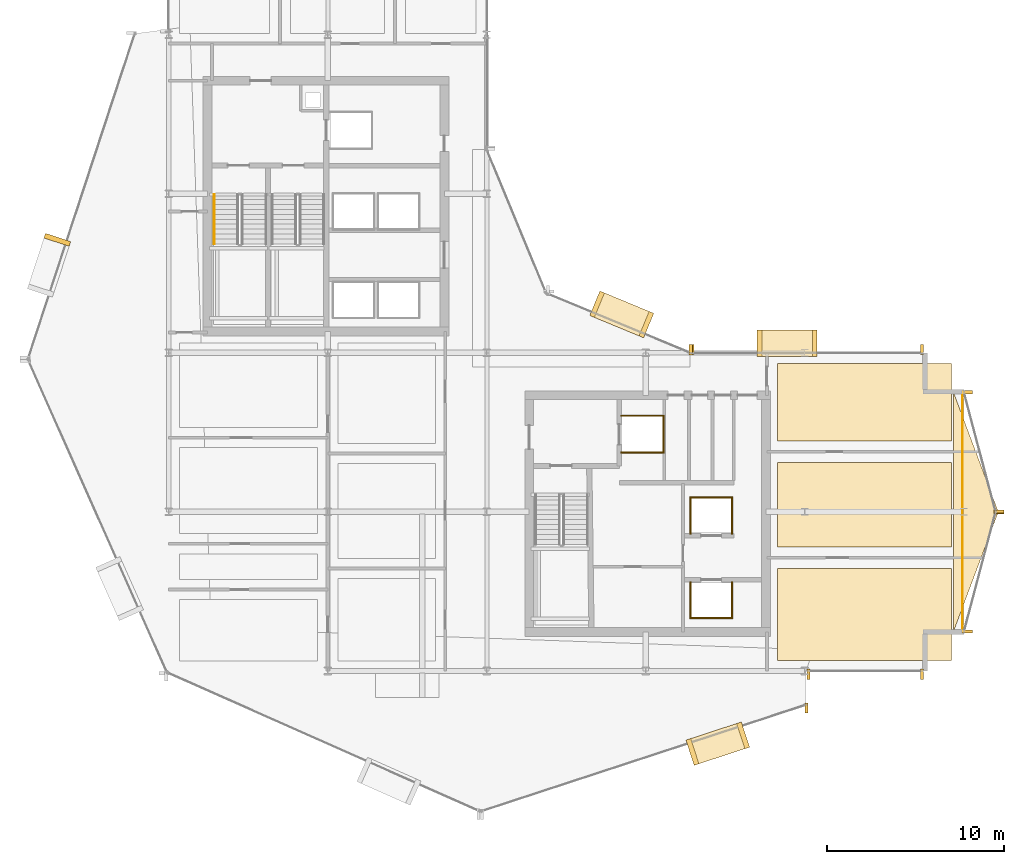
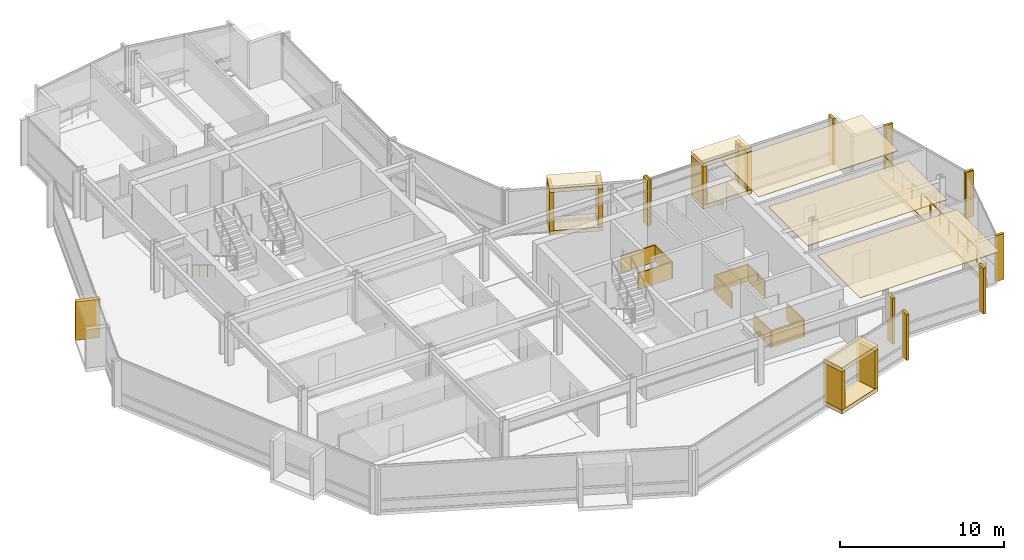
# One storey, part 28 of 29: 36 coverings, 2 railings.
"""IFC4 building model written with IfcOpenShell, lengths in metres."""

import ifcopenshell
import ifcopenshell.guid

model = None  # the IFC model being written
_history = None  # IfcOwnerHistory: only IFC2X3 demands one
_inside = {}  # id of a spatial element -> (the spatial element, [elements in it])
_under = {}  # id of a project, library or spatial element -> (it, [spatial elements below it])
_declared = {}  # id of a project -> (the project, [libraries it declares])
_typed = {}  # id of a type object -> (the type object, [elements of that type])
_made_of = {}  # id of a material, layer set ... -> (it, [elements and type objects made of it])


def new_model(schema):
    """Start an empty IFC model of exactly this schema.

    Asked for "IFC4X3", IfcOpenShell would pick the latest addendum, in which some entities
    have other attributes; the version numbers below select the first issue.
    IFC2X3 requires an IfcOwnerHistory on every rooted entity: one is made here for all.
    """
    global model, _history
    if schema == "IFC4X3":
        model = ifcopenshell.file(schema_version=(4, 3, 0, 0))
    else:
        model = ifcopenshell.file(schema=schema)
    _inside.clear()
    _under.clear()
    _declared.clear()
    _typed.clear()
    _made_of.clear()
    _history = None
    if model.schema == "IFC2X3":
        org = make("IfcOrganization", Name="unknown")
        user = make(
            "IfcPersonAndOrganization",
            ThePerson=make("IfcPerson", FamilyName="unknown"),
            TheOrganization=org,
        )
        app = make(
            "IfcApplication",
            ApplicationDeveloper=org,
            Version="unknown",
            ApplicationFullName="unknown",
            ApplicationIdentifier="unknown",
        )
        _history = make(
            "IfcOwnerHistory",
            OwningUser=user,
            OwningApplication=app,
            ChangeAction="ADDED",
            CreationDate=0,
        )
    return model


def make(cls, **values):
    """One entity of the class cls with the attributes given. An attribute that is None is left unset."""
    return model.create_entity(
        cls, **{name: value for name, value in values.items() if value is not None}
    )


def rooted(cls, **values):
    """An entity with a GlobalId (a new one), such as an element, a storey or a relation."""
    return make(cls, GlobalId=ifcopenshell.guid.new(), OwnerHistory=_history, **values)


def si_unit(unit_type, name, prefix=None):
    """IfcSIUnit, for example si_unit("LENGTHUNIT", "METRE", prefix="MILLI")."""
    return make("IfcSIUnit", UnitType=unit_type, Prefix=prefix, Name=name)


def assignment(units):
    """IfcUnitAssignment: the units of a project."""
    return None if units is None else make("IfcUnitAssignment", Units=units)


def point(xyz):
    """IfcCartesianPoint."""
    return None if xyz is None else make("IfcCartesianPoint", Coordinates=xyz)


def direction(xyz):
    """IfcDirection."""
    return None if xyz is None else make("IfcDirection", DirectionRatios=xyz)


def frame(location, z_axis=None, x_axis=None):
    """IfcAxis2Placement3D, a coordinate frame: its origin and axes. An axis left out is left unset."""
    return make(
        "IfcAxis2Placement3D",
        Location=point(location),
        Axis=direction(z_axis),
        RefDirection=direction(x_axis),
    )


def frame_2d(location, x_axis=None):
    """IfcAxis2Placement2D, a coordinate frame in the plane: its origin and x axis."""
    return make(
        "IfcAxis2Placement2D", Location=point(location), RefDirection=direction(x_axis)
    )


def origin():
    """The frame at (0, 0, 0) with its axes left unset."""
    return frame((0.0, 0.0, 0.0))


def origin_2d():
    """The frame at (0, 0) in the plane with its x axis left unset."""
    return frame_2d((0.0, 0.0))


def place(relative_to, where):
    """IfcLocalPlacement: puts the frame where relative to a parent placement (None: the world)."""
    return make(
        "IfcLocalPlacement", PlacementRelTo=relative_to, RelativePlacement=where
    )


def context(
    kind, dimensions, precision=None, world=None, true_north=None, identifier=None
):
    """IfcGeometricRepresentationContext, for example the 3D "Model" context."""
    return make(
        "IfcGeometricRepresentationContext",
        ContextIdentifier=identifier,
        ContextType=kind,
        CoordinateSpaceDimension=dimensions,
        Precision=precision,
        WorldCoordinateSystem=world,
        TrueNorth=true_north,
    )


def subcontext(parent, identifier, kind, view, scale=None):
    """IfcGeometricRepresentationSubContext, for example "Body" below "Model"."""
    return make(
        "IfcGeometricRepresentationSubContext",
        ContextIdentifier=identifier,
        ContextType=kind,
        ParentContext=parent,
        TargetScale=scale,
        TargetView=view,
    )


def project(units=None, contexts=None):
    """IfcProject with its units and contexts."""
    return rooted(
        "IfcProject",
        Name="project",
        RepresentationContexts=contexts,
        UnitsInContext=assignment(units),
    )


def spatial(cls, under=None, at=None, **own):
    """A site, building, storey or space (cls), placed at a placement, below another one or the project."""
    s = rooted(cls, ObjectPlacement=at, **own)
    if under is not None:
        _under.setdefault(under.id(), (under, []))[1].append(s)
    return s


def polyline(points):
    """IfcPolyline through the points."""
    return make("IfcPolyline", Points=[point(p) for p in points])


def profile(cls, at=None, kind="AREA", **sizes):
    """A parametric profile (cls). Its sizes go by their IFC names, for example OverallWidth=200.0."""
    return make(cls, ProfileType=kind, Position=at, **sizes)


def rectangle(**sizes):
    """IfcRectangleProfileDef."""
    return profile("IfcRectangleProfileDef", **sizes)


def circle(**sizes):
    """IfcCircleProfileDef."""
    return profile("IfcCircleProfileDef", **sizes)


def outline(outer, holes=None, kind="AREA"):
    """IfcArbitraryClosedProfileDef: a profile drawn as a closed curve; with holes, ...WithVoids."""
    if holes is None:
        return make("IfcArbitraryClosedProfileDef", ProfileType=kind, OuterCurve=outer)
    return make(
        "IfcArbitraryProfileDefWithVoids",
        ProfileType=kind,
        OuterCurve=outer,
        InnerCurves=holes,
    )


def extrude(swept, where, along, depth):
    """IfcExtrudedAreaSolid: the profile swept, set in the frame where, extruded along a direction by depth."""
    return make(
        "IfcExtrudedAreaSolid",
        SweptArea=swept,
        Position=where,
        ExtrudedDirection=direction(along),
        Depth=depth,
    )


def shape(context_of_items, identifier, shape_type, items):
    """IfcShapeRepresentation: the items that make up one representation, for example the "Body"."""
    return make(
        "IfcShapeRepresentation",
        ContextOfItems=context_of_items,
        RepresentationIdentifier=identifier,
        RepresentationType=shape_type,
        Items=items,
    )


def material(Name=None, Category=None):
    """IfcMaterial."""
    return make("IfcMaterial", Name=Name, Category=Category)


def layer(
    of_material, thickness, ventilated=None, Name=None, Category=None, Priority=None
):
    """IfcMaterialLayer: one layer of a wall or slab, of a material (None: an air gap)."""
    return make(
        "IfcMaterialLayer",
        Material=of_material,
        LayerThickness=thickness,
        IsVentilated=ventilated,
        Name=Name,
        Category=Category,
        Priority=Priority,
    )


def layer_set(layers, Name=None):
    """IfcMaterialLayerSet."""
    return make("IfcMaterialLayerSet", MaterialLayers=layers, LayerSetName=Name)


def made_of(thing, what):
    """Note that an element or type object is made of a material, layer set ...; save() writes the relation."""
    if what is not None:
        _made_of.setdefault(what.id(), (what, []))[1].append(thing)
    return thing


def type_object(cls, material=None, **own):
    """A type object (cls), such as IfcWallType, which elements share."""
    return made_of(rooted(cls, **own), material)


def element(
    cls,
    number,
    at=None,
    inside=None,
    cuts=None,
    type_object=None,
    material=None,
    context=None,
    identifier="Body",
    shape_type=None,
    held_by="IfcProductDefinitionShape",
    body=None,
    shapes=None,
    **own,
):
    """One element of the class cls, such as IfcWall. Its Tag is "e" and its number.

    at: its placement. inside: the storey or other place that contains it. cuts: it is an
    opening in that element (IfcRelVoidsElement). A single representation is given by context,
    identifier, shape_type and body (its items); several are given by shapes. held_by: the class
    of the entity that holds the representations. save() writes the other relations.
    """
    e = rooted(cls, Tag="e%d" % number, ObjectPlacement=at, **own)
    if body is not None:
        shapes = [shape(context, identifier, shape_type, body)]
    if shapes is not None:
        e.Representation = make(held_by, Representations=shapes)
    if inside is not None:
        _inside.setdefault(inside.id(), (inside, []))[1].append(e)
    if cuts is not None:
        rooted(
            "IfcRelVoidsElement", RelatingBuildingElement=cuts, RelatedOpeningElement=e
        )
    if type_object is not None:
        _typed.setdefault(type_object.id(), (type_object, []))[1].append(e)
    return made_of(e, material)


def aggregate(whole, parts):
    """IfcRelAggregates: a whole, such as a stair, and the parts it consists of."""
    return rooted("IfcRelAggregates", RelatingObject=whole, RelatedObjects=parts)


def save(model, path):
    """Write the relations noted so far, then the file.

    IfcRelAggregates (storeys below a building ...), IfcRelContainedInSpatialStructure (elements
    in a storey), IfcRelDefinesByType, IfcRelAssociatesMaterial and IfcRelDeclares: one each for
    every whole, place, type object, material and project.
    """
    for whole, parts in _under.values():
        aggregate(whole, parts)
    for where, things in _inside.values():
        rooted(
            "IfcRelContainedInSpatialStructure",
            RelatedElements=things,
            RelatingStructure=where,
        )
    for kind, things in _typed.values():
        rooted("IfcRelDefinesByType", RelatedObjects=things, RelatingType=kind)
    for what, things in _made_of.values():
        rooted("IfcRelAssociatesMaterial", RelatedObjects=things, RelatingMaterial=what)
    for by, libraries in _declared.values():
        rooted("IfcRelDeclares", RelatingContext=by, RelatedDefinitions=libraries)
    model.write(path)


model = new_model("IFC4")

# Units and contexts
model_context = context("Model", 3, precision=1e-05, world=origin(), true_north=direction((0.0, 1.0)))
body_context = subcontext(model_context, "Body", "Model", "MODEL_VIEW")
ifc_project = project(units=[si_unit("LENGTHUNIT", "METRE"), si_unit("AREAUNIT", "SQUARE_METRE"), si_unit("VOLUMEUNIT", "CUBIC_METRE"), si_unit("PLANEANGLEUNIT", "RADIAN"), si_unit("MASSUNIT", "GRAM", prefix="KILO")], contexts=[model_context])

# Site, building, storey
site_placement = place(None, origin())
site = spatial("IfcSite", under=ifc_project, at=site_placement, CompositionType="ELEMENT")
building_placement = place(site_placement, origin())
building = spatial("IfcBuilding", under=site, at=building_placement, Name="Solvaryn Broadcast Tower", CompositionType="ELEMENT")
storey_placement = place(building_placement, frame((0.0, 0.0, 161.800048828125)))
storey = spatial("IfcBuildingStorey", under=building, at=storey_placement, Name="L40", CompositionType="ELEMENT", Elevation=161.800048828125)

# Coverings
ifc_material_1 = material(Name="Micro-Perforated Acoustic Gypsum Ceiling", Category="concrete")
ifc_layer_1 = layer(ifc_material_1, 0.0400390625)
ifc_layer_set_1 = layer_set([ifc_layer_1], Name="CV-CEIL-ACOUSTIC")
covering_type_1 = type_object("IfcCoveringType", Name="CV-CEIL-ACOUSTIC", PredefinedType="CEILING", material=ifc_layer_set_1)
covering_1_placement = place(storey_placement, frame((0.0, 0.0, 3.3798828125)))
element("IfcCovering", 1, at=covering_1_placement, inside=storey, type_object=covering_type_1, Name="L40 Room Acoustic Ceiling 11", PredefinedType="CEILING", context=body_context, shape_type="SweptSolid", body=[
    extrude(outline(polyline([(43.449951171875, 9.60009765625), (53.300048828125, 9.60009765625), (53.300048828125, 14.800048828125), (43.449951171875, 14.800048828125), (43.449951171875, 9.60009765625)])), origin(), (0.0, 0.0, 1.0), 0.0400390625),
])
covering_2_placement = place(storey_placement, frame((0.0, 0.0, 3.3798828125)))
element("IfcCovering", 2, at=covering_2_placement, inside=storey, type_object=covering_type_1, Name="L40 Room Acoustic Ceiling 12", PredefinedType="CEILING", context=body_context, shape_type="SweptSolid", body=[
    extrude(outline(polyline([(43.449951171875, 16.0), (53.300048828125, 16.0), (53.300048828125, 20.800048828125), (43.449951171875, 20.800048828125), (43.449951171875, 16.0)])), origin(), (0.0, 0.0, 1.0), 0.0400390625),
])
covering_3_placement = place(storey_placement, frame((0.0, 0.0, 3.3798828125)))
element("IfcCovering", 3, at=covering_3_placement, inside=storey, type_object=covering_type_1, Name="L40 Room Acoustic Ceiling 13", PredefinedType="CEILING", context=body_context, shape_type="SweptSolid", body=[
    extrude(outline(polyline([(43.449951171875, 22.0), (53.300048828125, 22.0), (53.300048828125, 26.39990234375), (43.449951171875, 26.39990234375), (43.449951171875, 22.0)])), origin(), (0.0, 0.0, 1.0), 0.0400390625),
])
ifc_material_2 = material(Name="Fire-Rated Gypsum Shaftwall Liner", Category="concrete")
ifc_layer_2 = layer(ifc_material_2, 0.080078125)
ifc_layer_set_2 = layer_set([ifc_layer_2], Name="CV-SHAFT-LINER")
covering_type_2 = type_object("IfcCoveringType", Name="CV-SHAFT-LINER", PredefinedType="CLADDING", material=ifc_layer_set_2)
for number, where, z_axis, x_axis, name in (
    (4, (35.800048828125, 23.43994140625, 0.0), (0.0, 0.0, 1.0), (1.0, 0.0, 0.0), "L40 FL2 Hoistway Shaft Liner North"),
    (5, (35.800048828125, 21.360107421875, 0.0), (0.0, 0.0, 1.0), (1.0, 0.0, 0.0), "L40 FL2 Hoistway Shaft Liner South"),
):
    element("IfcCovering", number, at=place(storey_placement, frame(where, z_axis=z_axis, x_axis=x_axis)), inside=storey, type_object=covering_type_2, Name=name, PredefinedType="CLADDING", context=body_context, shape_type="SweptSolid", body=[
        extrude(rectangle(XDim=2.4599609375, YDim=0.080078125, at=origin_2d()), origin(), (0.0, 0.0, 1.0), 1.25),
    ])
covering_4_placement = place(storey_placement, frame((36.989990234375, 22.39990234375, 0.0), z_axis=(0.0, 0.0, 1.0), x_axis=(1.0, 0.0, 0.0)))
element("IfcCovering", 6, at=covering_4_placement, inside=storey, type_object=covering_type_2, Name="L40 FL2 Hoistway Shaft Liner East", PredefinedType="CLADDING", context=body_context, shape_type="SweptSolid", body=[
    extrude(rectangle(XDim=0.080078125, YDim=2.159912109375, at=origin_2d()), origin(), (0.0, 0.0, 1.0), 1.25),
])
covering_5_placement = place(storey_placement, frame((39.699951171875, 11.985107421875, 0.0), z_axis=(0.0, 0.0, 1.0), x_axis=(1.0, 0.0, 0.0)))
element("IfcCovering", 7, at=covering_5_placement, inside=storey, type_object=covering_type_2, Name="L40 PM1 Hoistway Shaft Liner South", PredefinedType="CLADDING", context=body_context, shape_type="SweptSolid", body=[
    extrude(rectangle(XDim=2.409912109375, YDim=0.080078125, at=origin_2d()), origin(), (0.0, 0.0, 1.0), 1.25),
])
for number, where, z_axis, x_axis, name in (
    (8, (40.864990234375, 13.0, 0.0), (0.0, 0.0, 1.0), (1.0, 0.0, 0.0), "L40 PM1 Hoistway Shaft Liner East"),
    (9, (38.534912109375, 13.0, 0.0), (0.0, 0.0, 1.0), (1.0, 0.0, 0.0), "L40 PM1 Hoistway Shaft Liner West"),
):
    element("IfcCovering", number, at=place(storey_placement, frame(where, z_axis=z_axis, x_axis=x_axis)), inside=storey, type_object=covering_type_2, Name=name, PredefinedType="CLADDING", context=body_context, shape_type="SweptSolid", body=[
        extrude(rectangle(XDim=0.080078125, YDim=2.110107421875, at=origin_2d()), origin(), (0.0, 0.0, 1.0), 1.25),
    ])
covering_6_placement = place(storey_placement, frame((39.699951171875, 18.81494140625, 0.0), z_axis=(0.0, 0.0, 1.0), x_axis=(1.0, 0.0, 0.0)))
element("IfcCovering", 10, at=covering_6_placement, inside=storey, type_object=covering_type_2, Name="L40 PM2 Hoistway Shaft Liner North", PredefinedType="CLADDING", context=body_context, shape_type="SweptSolid", body=[
    extrude(rectangle(XDim=2.409912109375, YDim=0.080078125, at=origin_2d()), origin(), (0.0, 0.0, 1.0), 1.25),
])
for number, where, z_axis, x_axis, name in (
    (11, (40.864990234375, 17.800048828125, 0.0), (0.0, 0.0, 1.0), (1.0, 0.0, 0.0), "L40 PM2 Hoistway Shaft Liner East"),
    (12, (38.534912109375, 17.800048828125, 0.0), (0.0, 0.0, 1.0), (1.0, 0.0, 0.0), "L40 PM2 Hoistway Shaft Liner West"),
):
    element("IfcCovering", number, at=place(storey_placement, frame(where, z_axis=z_axis, x_axis=x_axis)), inside=storey, type_object=covering_type_2, Name=name, PredefinedType="CLADDING", context=body_context, shape_type="SweptSolid", body=[
        extrude(rectangle(XDim=0.080078125, YDim=2.110107421875, at=origin_2d()), origin(), (0.0, 0.0, 1.0), 1.25),
    ])
ifc_material_3 = material(Name="Glazed Architectural Terracotta Rainscreen Cladding", Category="masonry")
ifc_layer_3 = layer(ifc_material_3, 0.280029296875)
ifc_layer_set_3 = layer_set([ifc_layer_3], Name="CV-TC-CLAD")
covering_type_3 = type_object("IfcCoveringType", Name="CV-TC-CLAD", PredefinedType="CLADDING", material=ifc_layer_set_3)
covering_7_placement = place(storey_placement, frame((2.693603515625, 33.396728515625, 0.27978515625), z_axis=(0.0, 0.0, 1.0), x_axis=(-0.311671636848, -0.950189870912, 0.0)))
element("IfcCovering", 13, at=covering_7_placement, inside=storey, type_object=covering_type_3, Name="L40 Projecting Stone Window Box Cheek 1-1", PredefinedType="CLADDING", context=body_context, shape_type="SweptSolid", body=[
    extrude(rectangle(XDim=0.280029296875, YDim=1.5, at=origin_2d()), origin(), (0.0, 0.0, 1.0), 2.860107421875),
])
for number, where, z_axis, x_axis, name in (
    (14, (40.071044921875, 4.883056640625, 3.1298828125), (0.0, 0.0, 1.0), (0.950189870912, 0.311671636848, 0.0), "L40 Projecting Stone Window Box Hood 4"),
    (15, (40.071044921875, 4.883056640625, -0.01025390625), (0.0, 0.0, 1.0), (0.950189870912, 0.311671636848, 0.0), "L40 Projecting Stone Window Box Sill 4"),
):
    element("IfcCovering", number, at=place(storey_placement, frame(where, z_axis=z_axis, x_axis=x_axis)), inside=storey, type_object=covering_type_3, Name=name, PredefinedType="CLADDING", context=body_context, shape_type="SweptSolid", body=[
        extrude(rectangle(XDim=3.300048828125, YDim=1.5, at=origin_2d()), origin(), (0.0, 0.0, 1.0), 0.300048828125),
    ])
for number, where, z_axis, x_axis, name in (
    (16, (38.63623046875, 4.412353515625, 0.27978515625), (0.0, 0.0, 1.0), (0.950189870912, 0.311671636848, 0.0), "L40 Projecting Stone Window Box Cheek 4-1"),
    (17, (41.505859375, 5.353515625, 0.27978515625), (0.0, 0.0, 1.0), (0.950189870912, 0.311671636848, 0.0), "L40 Projecting Stone Window Box Cheek 4-2"),
):
    element("IfcCovering", number, at=place(storey_placement, frame(where, z_axis=z_axis, x_axis=x_axis)), inside=storey, type_object=covering_type_3, Name=name, PredefinedType="CLADDING", context=body_context, shape_type="SweptSolid", body=[
        extrude(rectangle(XDim=0.280029296875, YDim=1.5, at=origin_2d()), origin(), (0.0, 0.0, 1.0), 2.860107421875),
    ])
for number, where, z_axis, x_axis, name in (
    (18, (34.636962890625, 29.174072265625, 3.1298828125), (0.0, 0.0, 1.0), (-0.923879532511, 0.382683432365, 0.0), "L40 Projecting Stone Window Box Hood 5"),
    (19, (34.636962890625, 29.174072265625, -0.01025390625), (0.0, 0.0, 1.0), (-0.923879532511, 0.382683432365, 0.0), "L40 Projecting Stone Window Box Sill 5"),
):
    element("IfcCovering", number, at=place(storey_placement, frame(where, z_axis=z_axis, x_axis=x_axis)), inside=storey, type_object=covering_type_3, Name=name, PredefinedType="CLADDING", context=body_context, shape_type="SweptSolid", body=[
        extrude(rectangle(XDim=3.300048828125, YDim=1.5, at=origin_2d()), origin(), (0.0, 0.0, 1.0), 0.300048828125),
    ])
for number, where, z_axis, x_axis, name in (
    (20, (36.031982421875, 28.59619140625, 0.27978515625), (0.0, 0.0, 1.0), (-0.923879532511, 0.382683432365, 0.0), "L40 Projecting Stone Window Box Cheek 5-1"),
    (21, (33.241943359375, 29.751953125, 0.27978515625), (0.0, 0.0, 1.0), (-0.923879532511, 0.382683432365, 0.0), "L40 Projecting Stone Window Box Cheek 5-2"),
):
    element("IfcCovering", number, at=place(storey_placement, frame(where, z_axis=z_axis, x_axis=x_axis)), inside=storey, type_object=covering_type_3, Name=name, PredefinedType="CLADDING", context=body_context, shape_type="SweptSolid", body=[
        extrude(rectangle(XDim=0.280029296875, YDim=1.5, at=origin_2d()), origin(), (0.0, 0.0, 1.0), 2.860107421875),
    ])
for number, where, z_axis, x_axis, name in (
    (22, (44.0, 27.530029296875, 3.1298828125), (0.0, 0.0, 1.0), (1.0, 0.0, 0.0), "L40 Projecting Stone Window Box Hood 6"),
    (23, (44.0, 27.530029296875, -0.01025390625), (0.0, 0.0, 1.0), (1.0, 0.0, 0.0), "L40 Projecting Stone Window Box Sill 6"),
):
    element("IfcCovering", number, at=place(storey_placement, frame(where, z_axis=z_axis, x_axis=x_axis)), inside=storey, type_object=covering_type_3, Name=name, PredefinedType="CLADDING", context=body_context, shape_type="SweptSolid", body=[
        extrude(rectangle(XDim=3.39990234375, YDim=1.5, at=origin_2d()), origin(), (0.0, 0.0, 1.0), 0.300048828125),
    ])
for number, where, z_axis, x_axis, name in (
    (24, (42.43994140625, 27.530029296875, 0.27978515625), (0.0, 0.0, 1.0), (1.0, 0.0, 0.0), "L40 Projecting Stone Window Box Cheek 6-1"),
    (25, (45.56005859375, 27.530029296875, 0.27978515625), (0.0, 0.0, 1.0), (1.0, 0.0, 0.0), "L40 Projecting Stone Window Box Cheek 6-2"),
):
    element("IfcCovering", number, at=place(storey_placement, frame(where, z_axis=z_axis, x_axis=x_axis)), inside=storey, type_object=covering_type_3, Name=name, PredefinedType="CLADDING", context=body_context, shape_type="SweptSolid", body=[
        extrude(rectangle(XDim=0.280029296875, YDim=1.5, at=origin_2d()), origin(), (0.0, 0.0, 1.0), 2.860107421875),
    ])
ifc_material_4 = material(Name="Extruded Architectural Terracotta Fin", Category="masonry")
ifc_layer_4 = layer(ifc_material_4, 0.179931640625)
ifc_layer_set_4 = layer_set([ifc_layer_4], Name="CV-TC-FIN")
covering_type_4 = type_object("IfcCoveringType", Name="CV-TC-FIN", PredefinedType="USERDEFINED", material=ifc_layer_set_4)
for number, where, z_axis, x_axis, name in (
    (26, (45.0947265625, 6.898681640625, 0.0), (0.0, 0.0, 1.0), (1.0, 0.0, 0.0), "L40 Terracotta Vertical Fin FIN-L40-DR4-M01"),
    (27, (38.541259765625, 27.177978515625, 0.0), (0.0, 0.0, 1.0), (1.0, 0.0, 0.0), "L40 Terracotta Vertical Fin FIN-L40-CN1-M00"),
    (28, (45.197021484375, 8.8125, 0.0), (0.0, 0.0, 1.0), (1.0, 0.0, 0.0), "L40 Terracotta Vertical Fin FIN-L40-S2-M00"),
    (29, (51.6201171875, 8.8125, 0.0), (0.0, 0.0, 1.0), (1.0, 0.0, 0.0), "L40 Terracotta Vertical Fin FIN-L40-S2-M01"),
):
    element("IfcCovering", number, at=place(storey_placement, frame(where, z_axis=z_axis, x_axis=x_axis)), inside=storey, type_object=covering_type_4, Name=name, ObjectType="FIN", PredefinedType="USERDEFINED", context=body_context, shape_type="SweptSolid", body=[
        extrude(rectangle(XDim=0.179931640625, YDim=0.580078125, at=origin_2d()), origin(), (0.0, 0.0, 1.0), 3.419921875),
    ])
for number, where, z_axis, x_axis, name in (
    (30, (54.1953125, 24.77099609375, 0.0), (0.0, 0.0, 1.0), (1.0, 0.0, 0.0), "L40 Terracotta Vertical Fin FIN-L40-ET1-M00"),
    (31, (55.979736328125, 18.029052734375, 0.0), (0.0, 0.0, 1.0), (1.0, 0.0, 0.0), "L40 Terracotta Vertical Fin FIN-L40-ET1-M01"),
    (32, (55.979736328125, 17.970947265625, 0.0), (0.0, 0.0, 1.0), (1.0, 0.0, 0.0), "L40 Terracotta Vertical Fin FIN-L40-ET2-M00"),
    (33, (54.1953125, 11.22900390625, 0.0), (0.0, 0.0, 1.0), (1.0, 0.0, 0.0), "L40 Terracotta Vertical Fin FIN-L40-ET2-M01"),
):
    element("IfcCovering", number, at=place(storey_placement, frame(where, z_axis=z_axis, x_axis=x_axis)), inside=storey, type_object=covering_type_4, Name=name, ObjectType="FIN", PredefinedType="USERDEFINED", context=body_context, shape_type="SweptSolid", body=[
        extrude(rectangle(XDim=0.580078125, YDim=0.179931640625, at=origin_2d()), origin(), (0.0, 0.0, 1.0), 3.419921875),
    ])
for number, where, z_axis, x_axis, name in (
    (34, (38.6298828125, 27.1875, 0.0), (0.0, 0.0, 1.0), (1.0, 0.0, 0.0), "L40 Terracotta Vertical Fin FIN-L40-IH-M00"),
    (35, (51.6201171875, 27.1875, 0.0), (0.0, 0.0, 1.0), (1.0, 0.0, 0.0), "L40 Terracotta Vertical Fin FIN-L40-IH-M01"),
):
    element("IfcCovering", number, at=place(storey_placement, frame(where, z_axis=z_axis, x_axis=x_axis)), inside=storey, type_object=covering_type_4, Name=name, ObjectType="FIN", PredefinedType="USERDEFINED", context=body_context, shape_type="SweptSolid", body=[
        extrude(rectangle(XDim=0.179931640625, YDim=0.580078125, at=origin_2d()), origin(), (0.0, 0.0, 1.0), 3.419921875),
    ])
ifc_material_5 = material(Name="Sculpted Architectural Terracotta Wave Fascia", Category="masonry")
ifc_layer_5 = layer(ifc_material_5, 0.340087890625)
ifc_layer_set_5 = layer_set([ifc_layer_5], Name="CV-WAVE-TRAY")
covering_type_5 = type_object("IfcCoveringType", Name="CV-WAVE-TRAY", PredefinedType="CLADDING", material=ifc_layer_set_5)
covering_8_placement = place(storey_placement, frame((0.0, 0.0, -0.300048828125)))
element("IfcCovering", 36, at=covering_8_placement, inside=storey, type_object=covering_type_5, Name="L40 East Curved Wing Deck", PredefinedType="CLADDING", context=body_context, shape_type="SweptSolid", body=[
    extrude(outline(polyline([(53.39990234375, 11.199951171875), (55.949951171875, 18.0), (53.39990234375, 24.800048828125), (53.39990234375, 11.199951171875)])), origin(), (0.0, 0.0, 1.0), 0.330078125),
])

# Railings
ifc_material_6 = material(Name="Brushed Stainless Steel Tubular Handrail", Category="steel")
railing_type_1 = type_object("IfcRailingType", Name="RL-STAIR-HANDRAIL", PredefinedType="HANDRAIL", material=ifc_material_6)
railing_1_placement = place(storey_placement, frame((11.570068359375, 35.9599609375, 0.168212890625)))
element("IfcRailing", 37, at=railing_1_placement, inside=storey, type_object=railing_type_1, Name="L40 ST1 stair handrail 1", PredefinedType="HANDRAIL", context=body_context, shape_type="SweptSolid", body=[
    extrude(circle(Radius=0.02392578125, at=origin_2d()), frame((0.0, 0.0, 0.8759765625), z_axis=(0.0, -0.857275202839, 0.514858452973), x_axis=(1.0, 0.0, 0.0)), (0.0, 0.0, 1.0), 3.26611328125),
    extrude(circle(Radius=0.02099609375, at=origin_2d()), origin(), (0.0, 0.0, 1.0), 0.851806640625),
    extrude(circle(Radius=0.02099609375, at=origin_2d()), frame((0.0, -0.933349609375, 0.560546875)), (0.0, 0.0, 1.0), 0.851806640625),
    extrude(circle(Radius=0.02099609375, at=origin_2d()), frame((0.0, -1.86669921875, 1.12109375)), (0.0, 0.0, 1.0), 0.851806640625),
    extrude(circle(Radius=0.02099609375, at=origin_2d()), frame((0.0, -2.800048828125, 1.681640625)), (0.0, 0.0, 1.0), 0.851806640625),
])
ifc_material_7 = material(Name="Stainless Steel and Laminated Glass Guard", Category="steel")
railing_type_2 = type_object("IfcRailingType", Name="RL-TER-1150", PredefinedType="BALUSTRADE", material=ifc_material_7)
railing_2_placement = place(storey_placement, frame((53.919921875, 11.199951171875, 0.0)))
element("IfcRailing", 38, at=railing_2_placement, inside=storey, type_object=railing_type_2, Name="L40 East Wing Spandrel Edge Guard", PredefinedType="BALUSTRADE", context=body_context, shape_type="SweptSolid", body=[
    extrude(circle(Radius=0.02392578125, at=origin_2d()), frame((0.0, 0.0, 1.1259765625), z_axis=(0.0, 1.0, 0.0), x_axis=(-1.0, 0.0, 0.0)), (0.0, 0.0, 1.0), 13.60009765625),
    extrude(circle(Radius=0.02099609375, at=origin_2d()), origin(), (0.0, 0.0, 1.0), 1.101806640625),
    extrude(circle(Radius=0.02099609375, at=origin_2d()), frame((0.0, 1.13330078125, 0.0)), (0.0, 0.0, 1.0), 1.101806640625),
    extrude(circle(Radius=0.02099609375, at=origin_2d()), frame((0.0, 2.2666015625, 0.0)), (0.0, 0.0, 1.0), 1.101806640625),
    extrude(circle(Radius=0.02099609375, at=origin_2d()), frame((0.0, 3.39990234375, 0.0)), (0.0, 0.0, 1.0), 1.101806640625),
    extrude(circle(Radius=0.02099609375, at=origin_2d()), frame((0.0, 4.533447265625, 0.0)), (0.0, 0.0, 1.0), 1.101806640625),
    extrude(circle(Radius=0.02099609375, at=origin_2d()), frame((0.0, 5.666748046875, 0.0)), (0.0, 0.0, 1.0), 1.101806640625),
    extrude(circle(Radius=0.02099609375, at=origin_2d()), frame((0.0, 6.800048828125, 0.0)), (0.0, 0.0, 1.0), 1.101806640625),
    extrude(circle(Radius=0.02099609375, at=origin_2d()), frame((0.0, 7.933349609375, 0.0)), (0.0, 0.0, 1.0), 1.101806640625),
    extrude(circle(Radius=0.02099609375, at=origin_2d()), frame((0.0, 9.066650390625, 0.0)), (0.0, 0.0, 1.0), 1.101806640625),
    extrude(circle(Radius=0.02099609375, at=origin_2d()), frame((0.0, 10.2001953125, 0.0)), (0.0, 0.0, 1.0), 1.101806640625),
    extrude(circle(Radius=0.02099609375, at=origin_2d()), frame((0.0, 11.33349609375, 0.0)), (0.0, 0.0, 1.0), 1.101806640625),
    extrude(circle(Radius=0.02099609375, at=origin_2d()), frame((0.0, 12.466796875, 0.0)), (0.0, 0.0, 1.0), 1.101806640625),
    extrude(circle(Radius=0.02099609375, at=origin_2d()), frame((0.0, 13.60009765625, 0.0)), (0.0, 0.0, 1.0), 1.101806640625),
])

save(model, "model.ifc")
